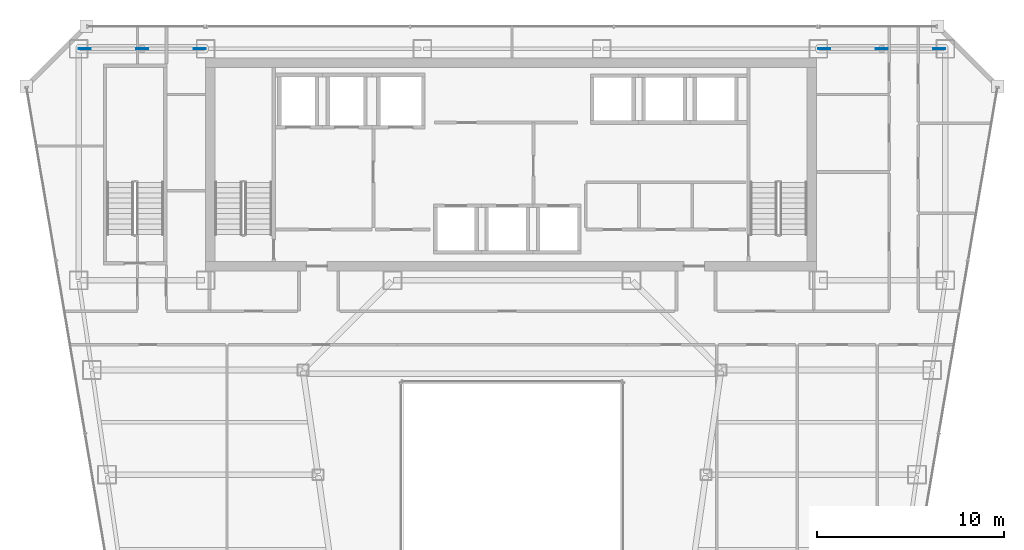
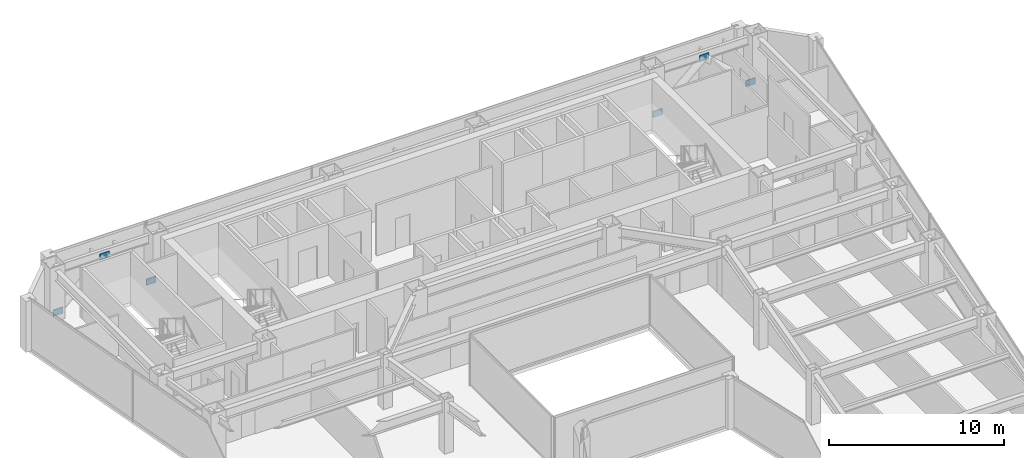
# One storey, part 28 of 35: 6 plates.
"""IFC4 building model written with IfcOpenShell, lengths in metres."""

from ifc_helpers import new_model, si_unit, direction, frame, origin, origin_2d, place, context, subcontext, project, spatial, rectangle, extrude, material, layer, layer_set, type_object, element, save


model = new_model("IFC4")

# Units and contexts
model_context = context("Model", 3, precision=1e-05, world=origin(), true_north=direction((0.0, 1.0)))
body_context = subcontext(model_context, "Body", "Model", "MODEL_VIEW")
ifc_project = project(units=[si_unit("LENGTHUNIT", "METRE"), si_unit("AREAUNIT", "SQUARE_METRE"), si_unit("VOLUMEUNIT", "CUBIC_METRE"), si_unit("PLANEANGLEUNIT", "RADIAN"), si_unit("MASSUNIT", "GRAM", prefix="KILO")], contexts=[model_context])

# Site, building, storey
site_placement = place(None, origin())
site = spatial("IfcSite", under=ifc_project, at=site_placement, CompositionType="ELEMENT")
building_placement = place(site_placement, origin())
building = spatial("IfcBuilding", under=site, at=building_placement, Name="Saevonmaru Cultural Tower", CompositionType="ELEMENT")
storey_placement = place(building_placement, frame((0.0, 0.0, 175.199951171875)))
storey = spatial("IfcBuildingStorey", under=building, at=storey_placement, Name="L39", CompositionType="ELEMENT", Elevation=175.199951171875)

# Plates
ifc_material = material(Name="Steel HSA600 (600 MPa)", Category="steel")
ifc_layer = layer(ifc_material, 0.0400390625, Name="Steel HSA600 (600 MPa)")
ifc_layer_set = layer_set([ifc_layer], Name="Steel HSA600 (600 MPa)")
plate_type = type_object("IfcPlateType", Name="PL-GUSSET-EXT", PredefinedType="USERDEFINED", material=ifc_layer_set)
for number, where, z_axis, x_axis, name in (
    (1, (10.199951171875, 54.800048828125, 2.85009765625), (0.0, 0.0, 1.0), (1.0, 0.0, 0.0), "L39 Perimeter Tube Gusset Plate"),
    (2, (7.1201171875, 54.800048828125, 0.02001953125), (0.0, 0.0, 1.0), (1.0, 0.0, 0.0), "L39 Perimeter Tube Gusset Plate"),
    (3, (13.280029296875, 54.800048828125, 0.02001953125), (0.0, 0.0, 1.0), (1.0, 0.0, 0.0), "L39 Perimeter Tube Gusset Plate"),
    (4, (49.800048828125, 54.800048828125, 2.85009765625), (0.0, 0.0, 1.0), (1.0, 0.0, 0.0), "L39 Perimeter Tube Gusset Plate"),
    (5, (46.719970703125, 54.800048828125, 0.02001953125), (0.0, 0.0, 1.0), (1.0, 0.0, 0.0), "L39 Perimeter Tube Gusset Plate"),
    (6, (52.8798828125, 54.800048828125, 0.02001953125), (0.0, 0.0, 1.0), (1.0, 0.0, 0.0), "L39 Perimeter Tube Gusset Plate"),
):
    element("IfcPlate", number, at=place(storey_placement, frame(where, z_axis=z_axis, x_axis=x_axis)), inside=storey, type_object=plate_type, Name=name, ObjectType="GUSSET_PLATE", PredefinedType="USERDEFINED", context=body_context, shape_type="SweptSolid", body=[
        extrude(rectangle(XDim=0.639892578125, YDim=0.0400390625, at=origin_2d()), origin(), (0.0, 0.0, 1.0), 0.43994140625),
    ])

save(model, "model.ifc")
